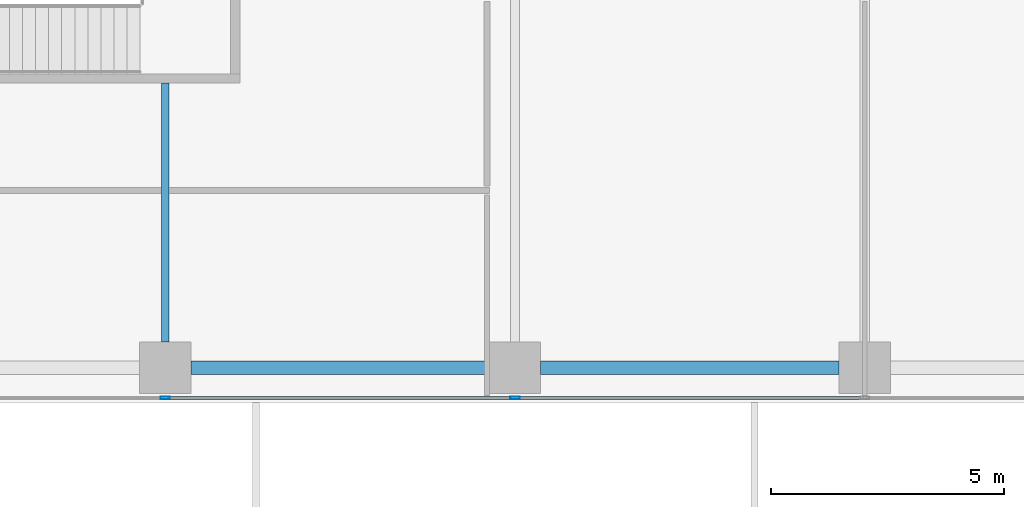
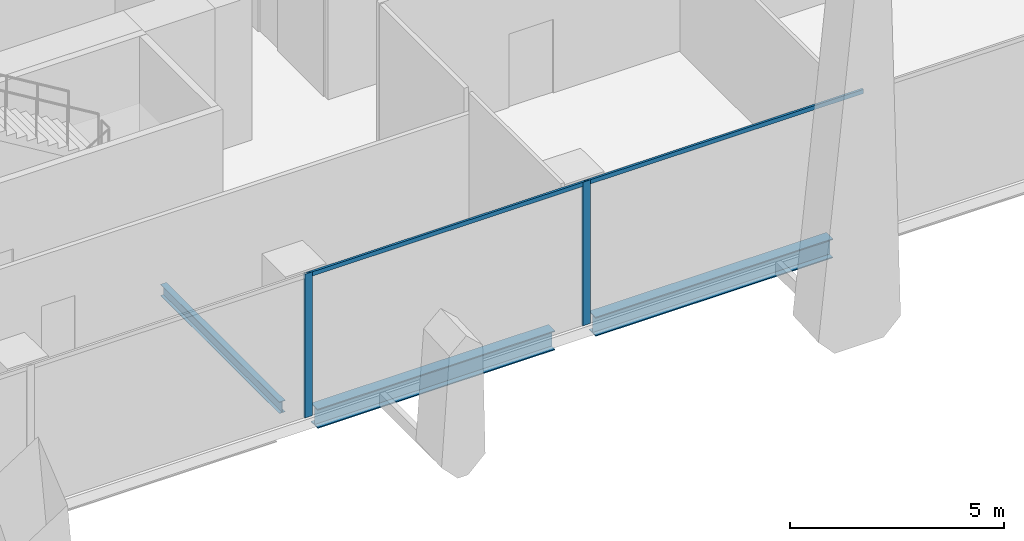
# One storey, part 5 of 35: 4 members, 3 beams, 1 element without a shape of its own.
"""IFC4 building model written with IfcOpenShell, lengths in metres."""

from ifc_helpers import new_model, si_unit, direction, frame, origin, origin_2d, place, context, subcontext, project, spatial, hollow_rectangle, i_section, extrude, source, transform, mapped, material, material_profile, profile_set, type_object, element, aggregate, save


model = new_model("IFC4")

# Units and contexts
model_context = context("Model", 3, precision=1e-05, world=origin(), true_north=direction((0.0, 1.0)))
body_context = subcontext(model_context, "Body", "Model", "MODEL_VIEW")
ifc_project = project(units=[si_unit("LENGTHUNIT", "METRE"), si_unit("AREAUNIT", "SQUARE_METRE"), si_unit("VOLUMEUNIT", "CUBIC_METRE"), si_unit("PLANEANGLEUNIT", "RADIAN"), si_unit("MASSUNIT", "GRAM", prefix="KILO")], contexts=[model_context])

# Site, building, storey
site_placement = place(None, origin())
site = spatial("IfcSite", under=ifc_project, at=site_placement, CompositionType="ELEMENT")
building_placement = place(site_placement, origin())
building = spatial("IfcBuilding", under=site, at=building_placement, Name="Khomas Fold Tower", CompositionType="ELEMENT")
storey_placement = place(building_placement, frame((0.0, 0.0, 136.699951171875)))
storey = spatial("IfcBuildingStorey", under=building, at=storey_placement, Name="L29", CompositionType="ELEMENT", Elevation=136.699951171875)

# Beams
ifc_material_1 = material(Name="Steel S355", Category="steel")
ifc_material_profile_1 = material_profile(ifc_material_1, i_section(OverallWidth=0.300048828125, OverallDepth=0.550048828125, WebThickness=0.014892578125, FlangeThickness=0.029052734375, at=origin_2d()), Name="HE 550 B")
ifc_profile_set_1 = profile_set([ifc_material_profile_1], Name="Steel S355")
beam_type_1 = type_object("IfcBeamType", Name="HE 550 B spandrel SB2", PredefinedType="SPANDREL", material=ifc_profile_set_1)
shared_shape_1 = source(origin(), body_context, "Body", "SweptSolid", [
    extrude(i_section(OverallWidth=0.300048828125, OverallDepth=0.550048828125, WebThickness=0.014892578125, FlangeThickness=0.029052734375, at=origin_2d()), origin(), (0.0, 0.0, 1.0), 6.39990234375),
])
for number, where, z_axis, x_axis, name in (
    (1, (20.050048828125, 2.25, -0.574951171875), (1.0, 0.0, 0.0), (0.0, 1.0, 0.0), "SB2"),
    (2, (27.550048828125, 2.25, -0.574951171875), (1.0, 0.0, 0.0), (0.0, 1.0, 0.0), "SB2"),
):
    element("IfcBeam", number, at=place(storey_placement, frame(where, z_axis=z_axis, x_axis=x_axis)), inside=storey, type_object=beam_type_1, Name=name, PredefinedType="SPANDREL", context=body_context, shape_type="MappedRepresentation", body=[
        mapped(shared_shape_1, transform((0.0, 0.0, 0.0))),
    ])
ifc_material_2 = material(Name="Steel S355", Category="steel")
ifc_material_profile_2 = material_profile(ifc_material_2, i_section(OverallWidth=0.159912109375, OverallDepth=0.330078125, WebThickness=0.007568359375, FlangeThickness=0.011474609375, at=origin_2d()), Name="IPE 330")
ifc_profile_set_2 = profile_set([ifc_material_profile_2], Name="Steel S355")
beam_type_2 = type_object("IfcBeamType", Name="IPE 330 beam JB1", PredefinedType="BEAM", material=ifc_profile_set_2)
shared_shape_2 = source(origin(), body_context, "Body", "SweptSolid", [
    extrude(i_section(OverallWidth=0.159912109375, OverallDepth=0.330078125, WebThickness=0.007568359375, FlangeThickness=0.011474609375, at=origin_2d()), origin(), (0.0, 0.0, 1.0), 5.550048828125),
])
beam_placement = place(storey_placement, frame((19.5, 2.800048828125, -0.46484375), z_axis=(0.0, 1.0, 0.0), x_axis=(-1.0, 0.0, 0.0)))
element("IfcBeam", 3, at=beam_placement, inside=storey, type_object=beam_type_2, Name="JB1", PredefinedType="BEAM", context=body_context, shape_type="MappedRepresentation", body=[
    mapped(shared_shape_2, transform((0.0, 0.0, 0.0))),
])

# Curtain wall, members
ifc_material_3 = material(Name="Aluminium framed double glazing", Category="aluminium")
curtain_wall_type = type_object("IfcCurtainWallType", Name="SK-Unitised clear-glass wall, growing floors CW1", PredefinedType="NOTDEFINED", material=ifc_material_3)
curtain_wall_placement = place(storey_placement, origin())
curtain_wall = element("IfcCurtainWall", 4, at=curtain_wall_placement, inside=storey, type_object=curtain_wall_type, Name="CW1 run L29 00-0", PredefinedType="NOTDEFINED")
ifc_material_4 = material(Name="Aluminium", Category="aluminium")
ifc_material_profile_3 = material_profile(ifc_material_4, hollow_rectangle(XDim=0.06005859375, YDim=0.1201171875, WallThickness=0.00390625, at=origin_2d()), Name="SK-Unitised clear-glass wall, growing floors transom CW1-T")
ifc_profile_set_3 = profile_set([ifc_material_profile_3], Name="Aluminium")
member_type_1 = type_object("IfcMemberType", Name="SK-Unitised clear-glass wall, growing floors transom CW1-T", PredefinedType="USERDEFINED", material=ifc_profile_set_3)
shared_shape_3 = source(origin(), body_context, "Body", "SweptSolid", [
    extrude(hollow_rectangle(XDim=0.06005859375, YDim=0.1201171875, WallThickness=0.00390625, at=origin_2d()), origin(), (0.0, 0.0, 1.0), 7.43994140625),
])
member_1_placement = place(storey_placement, frame((19.530029296875, 1.60009765625, 4.0400390625), z_axis=(1.0, 0.0, 0.0), x_axis=(0.0, 1.0, 0.0)))
member_1 = element("IfcMember", 5, at=member_1_placement, type_object=member_type_1, Name="CW1 transom 4", ObjectType="TRANSOM", PredefinedType="USERDEFINED", context=body_context, shape_type="MappedRepresentation", body=[
    mapped(shared_shape_3, transform((0.0, 0.0, 0.0))),
])
member_2_placement = place(storey_placement, frame((27.030029296875, 1.60009765625, 4.0400390625), z_axis=(1.0, 0.0, 0.0), x_axis=(0.0, 1.0, 0.0)))
member_2 = element("IfcMember", 6, at=member_2_placement, type_object=member_type_1, Name="CW1 transom 5", ObjectType="TRANSOM", PredefinedType="USERDEFINED", context=body_context, shape_type="MappedRepresentation", body=[
    mapped(shared_shape_3, transform((0.0, 0.0, 0.0))),
])
ifc_material_5 = material(Name="Aluminium", Category="aluminium")
ifc_material_profile_4 = material_profile(ifc_material_5, hollow_rectangle(XDim=0.06005859375, YDim=0.199951171875, WallThickness=0.00390625, at=origin_2d()), Name="SK-Unitised clear-glass wall, growing floors mullion CW1-M")
ifc_profile_set_4 = profile_set([ifc_material_profile_4], Name="Aluminium")
member_type_2 = type_object("IfcMemberType", Name="SK-Unitised clear-glass wall, growing floors mullion CW1-M", PredefinedType="MULLION", material=ifc_profile_set_4)
shared_shape_4 = source(origin(), body_context, "Body", "SweptSolid", [
    extrude(hollow_rectangle(XDim=0.06005859375, YDim=0.199951171875, WallThickness=0.00390625, at=origin_2d()), origin(), (0.0, 0.0, 1.0), 4.10009765625),
])
member_3_placement = place(storey_placement, frame((19.5, 1.60009765625, 0.0), z_axis=(0.0, 0.0, 1.0), x_axis=(0.0, 1.0, 0.0)))
member_3 = element("IfcMember", 7, at=member_3_placement, type_object=member_type_2, Name="CW1 mullion 4", PredefinedType="MULLION", context=body_context, shape_type="MappedRepresentation", body=[
    mapped(shared_shape_4, transform((0.0, 0.0, 0.0))),
])
member_4_placement = place(storey_placement, frame((27.0, 1.60009765625, 0.0), z_axis=(0.0, 0.0, 1.0), x_axis=(0.0, 1.0, 0.0)))
member_4 = element("IfcMember", 8, at=member_4_placement, type_object=member_type_2, Name="CW1 mullion 5", PredefinedType="MULLION", context=body_context, shape_type="MappedRepresentation", body=[
    mapped(shared_shape_4, transform((0.0, 0.0, 0.0))),
])
aggregate(curtain_wall, [member_3, member_4, member_1, member_2])

save(model, "model.ifc")
